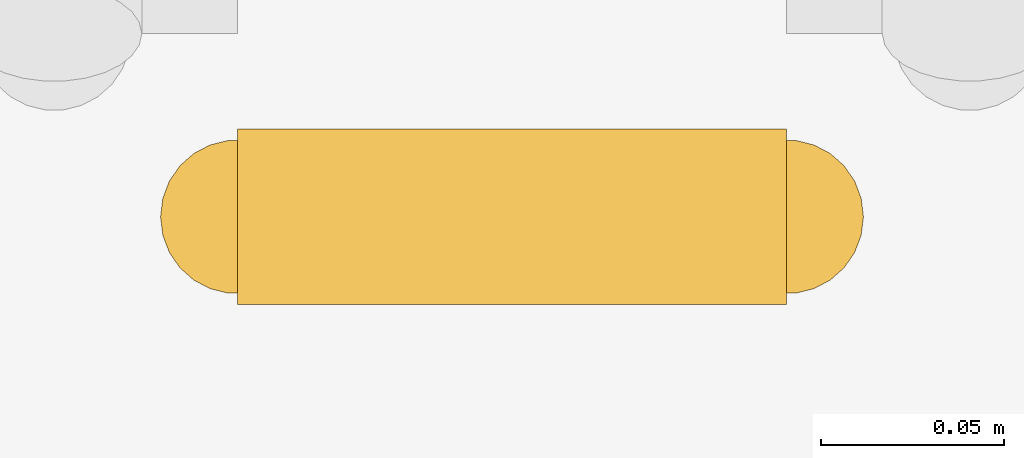
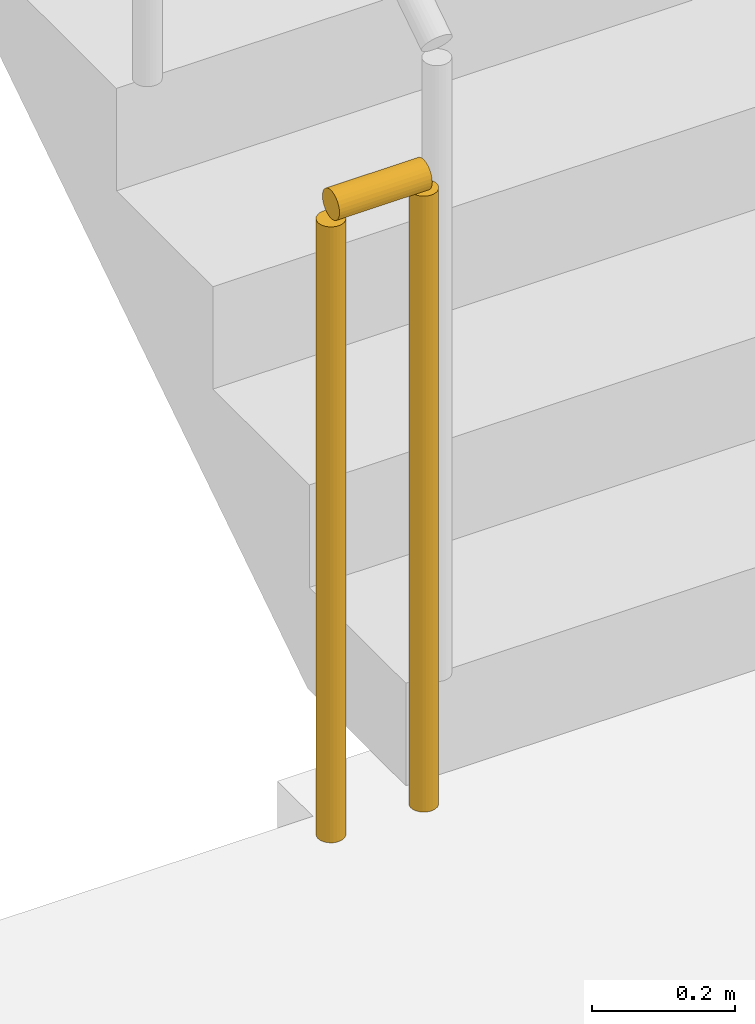
# One storey, part 16 of 19: 1 railing.
"""IFC4 building model written with IfcOpenShell, lengths in metres."""

from ifc_helpers import new_model, si_unit, direction, frame, origin, origin_2d, place, context, subcontext, project, spatial, circle, extrude, material, type_object, element, save


model = new_model("IFC4")

# Units and contexts
model_context = context("Model", 3, precision=1e-05, world=origin(), true_north=direction((0.0, 1.0)))
body_context = subcontext(model_context, "Body", "Model", "MODEL_VIEW")
ifc_project = project(units=[si_unit("LENGTHUNIT", "METRE"), si_unit("AREAUNIT", "SQUARE_METRE"), si_unit("VOLUMEUNIT", "CUBIC_METRE"), si_unit("PLANEANGLEUNIT", "RADIAN"), si_unit("MASSUNIT", "GRAM", prefix="KILO")], contexts=[model_context])

# Site, building, storey
site_placement = place(None, origin())
site = spatial("IfcSite", under=ifc_project, at=site_placement, CompositionType="ELEMENT")
building_placement = place(site_placement, origin())
building = spatial("IfcBuilding", under=site, at=building_placement, Name="Saffron Iwan Residences", CompositionType="ELEMENT")
storey_placement = place(building_placement, frame((0.0, 0.0, 218.5)))
storey = spatial("IfcBuildingStorey", under=building, at=storey_placement, Name="L58", CompositionType="ELEMENT", Elevation=218.5)

# Railing
ifc_material = material(Name="Steel S355", Category="steel")
railing_type = type_object("IfcRailingType", Name="Stair guard 1100", PredefinedType="GUARDRAIL", material=ifc_material)
railing_placement = place(storey_placement, frame((69.699951171875, 67.800048828125, 0.0)))
element("IfcRailing", 1, at=railing_placement, inside=storey, type_object=railing_type, Name="L58 ST-E stair guard 2", PredefinedType="GUARDRAIL", context=body_context, shape_type="SweptSolid", body=[
    extrude(circle(Radius=0.02392578125, at=origin_2d()), frame((0.0, 0.0, 1.076171875), z_axis=(-1.0, 0.0, 0.0), x_axis=(0.0, -1.0, 0.0)), (0.0, 0.0, 1.0), 0.14990234375),
    extrude(circle(Radius=0.02099609375, at=origin_2d()), origin(), (0.0, 0.0, 1.0), 1.052001953125),
    extrude(circle(Radius=0.02099609375, at=origin_2d()), frame((-0.14990234375, 0.0, 0.0)), (0.0, 0.0, 1.0), 1.052001953125),
])

save(model, "model.ifc")
